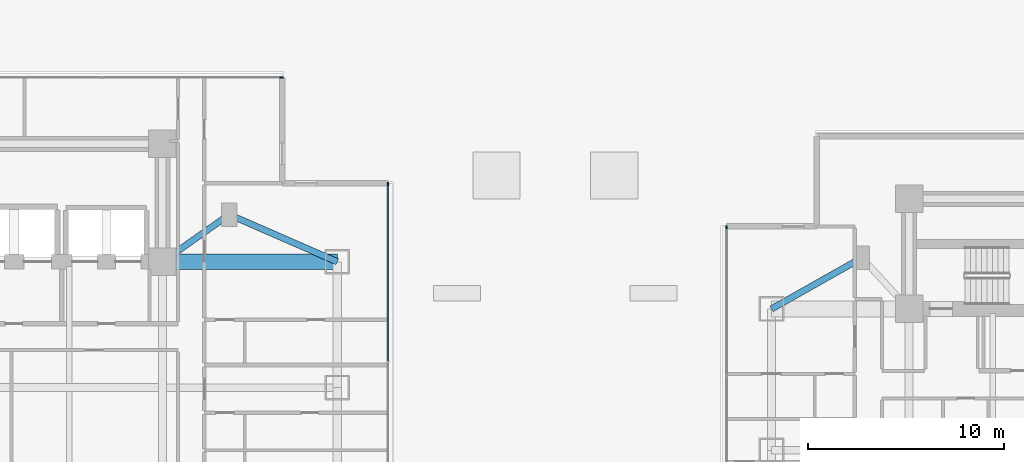
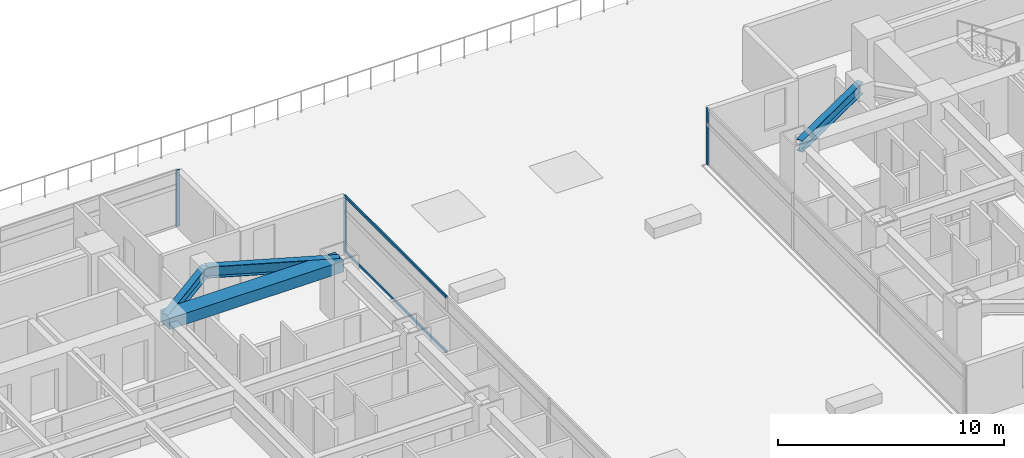
# One storey, part 7 of 26: 5 members, 4 beams, 3 elements without a shape of their own.
"""IFC4 building model written with IfcOpenShell, lengths in metres."""

import ifcopenshell
import ifcopenshell.guid

model = None  # the IFC model being written
_history = None  # IfcOwnerHistory: only IFC2X3 demands one
_inside = {}  # id of a spatial element -> (the spatial element, [elements in it])
_under = {}  # id of a project, library or spatial element -> (it, [spatial elements below it])
_declared = {}  # id of a project -> (the project, [libraries it declares])
_typed = {}  # id of a type object -> (the type object, [elements of that type])
_made_of = {}  # id of a material, layer set ... -> (it, [elements and type objects made of it])


def new_model(schema):
    """Start an empty IFC model of exactly this schema.

    Asked for "IFC4X3", IfcOpenShell would pick the latest addendum, in which some entities
    have other attributes; the version numbers below select the first issue.
    IFC2X3 requires an IfcOwnerHistory on every rooted entity: one is made here for all.
    """
    global model, _history
    if schema == "IFC4X3":
        model = ifcopenshell.file(schema_version=(4, 3, 0, 0))
    else:
        model = ifcopenshell.file(schema=schema)
    _inside.clear()
    _under.clear()
    _declared.clear()
    _typed.clear()
    _made_of.clear()
    _history = None
    if model.schema == "IFC2X3":
        org = make("IfcOrganization", Name="unknown")
        user = make(
            "IfcPersonAndOrganization",
            ThePerson=make("IfcPerson", FamilyName="unknown"),
            TheOrganization=org,
        )
        app = make(
            "IfcApplication",
            ApplicationDeveloper=org,
            Version="unknown",
            ApplicationFullName="unknown",
            ApplicationIdentifier="unknown",
        )
        _history = make(
            "IfcOwnerHistory",
            OwningUser=user,
            OwningApplication=app,
            ChangeAction="ADDED",
            CreationDate=0,
        )
    return model


def make(cls, **values):
    """One entity of the class cls with the attributes given. An attribute that is None is left unset."""
    return model.create_entity(
        cls, **{name: value for name, value in values.items() if value is not None}
    )


def rooted(cls, **values):
    """An entity with a GlobalId (a new one), such as an element, a storey or a relation."""
    return make(cls, GlobalId=ifcopenshell.guid.new(), OwnerHistory=_history, **values)


def si_unit(unit_type, name, prefix=None):
    """IfcSIUnit, for example si_unit("LENGTHUNIT", "METRE", prefix="MILLI")."""
    return make("IfcSIUnit", UnitType=unit_type, Prefix=prefix, Name=name)


def assignment(units):
    """IfcUnitAssignment: the units of a project."""
    return None if units is None else make("IfcUnitAssignment", Units=units)


def point(xyz):
    """IfcCartesianPoint."""
    return None if xyz is None else make("IfcCartesianPoint", Coordinates=xyz)


def direction(xyz):
    """IfcDirection."""
    return None if xyz is None else make("IfcDirection", DirectionRatios=xyz)


def frame(location, z_axis=None, x_axis=None):
    """IfcAxis2Placement3D, a coordinate frame: its origin and axes. An axis left out is left unset."""
    return make(
        "IfcAxis2Placement3D",
        Location=point(location),
        Axis=direction(z_axis),
        RefDirection=direction(x_axis),
    )


def frame_2d(location, x_axis=None):
    """IfcAxis2Placement2D, a coordinate frame in the plane: its origin and x axis."""
    return make(
        "IfcAxis2Placement2D", Location=point(location), RefDirection=direction(x_axis)
    )


def origin():
    """The frame at (0, 0, 0) with its axes left unset."""
    return frame((0.0, 0.0, 0.0))


def origin_2d():
    """The frame at (0, 0) in the plane with its x axis left unset."""
    return frame_2d((0.0, 0.0))


def place(relative_to, where):
    """IfcLocalPlacement: puts the frame where relative to a parent placement (None: the world)."""
    return make(
        "IfcLocalPlacement", PlacementRelTo=relative_to, RelativePlacement=where
    )


def context(
    kind, dimensions, precision=None, world=None, true_north=None, identifier=None
):
    """IfcGeometricRepresentationContext, for example the 3D "Model" context."""
    return make(
        "IfcGeometricRepresentationContext",
        ContextIdentifier=identifier,
        ContextType=kind,
        CoordinateSpaceDimension=dimensions,
        Precision=precision,
        WorldCoordinateSystem=world,
        TrueNorth=true_north,
    )


def subcontext(parent, identifier, kind, view, scale=None):
    """IfcGeometricRepresentationSubContext, for example "Body" below "Model"."""
    return make(
        "IfcGeometricRepresentationSubContext",
        ContextIdentifier=identifier,
        ContextType=kind,
        ParentContext=parent,
        TargetScale=scale,
        TargetView=view,
    )


def project(units=None, contexts=None):
    """IfcProject with its units and contexts."""
    return rooted(
        "IfcProject",
        Name="project",
        RepresentationContexts=contexts,
        UnitsInContext=assignment(units),
    )


def spatial(cls, under=None, at=None, **own):
    """A site, building, storey or space (cls), placed at a placement, below another one or the project."""
    s = rooted(cls, ObjectPlacement=at, **own)
    if under is not None:
        _under.setdefault(under.id(), (under, []))[1].append(s)
    return s


def profile(cls, at=None, kind="AREA", **sizes):
    """A parametric profile (cls). Its sizes go by their IFC names, for example OverallWidth=200.0."""
    return make(cls, ProfileType=kind, Position=at, **sizes)


def rectangle(**sizes):
    """IfcRectangleProfileDef."""
    return profile("IfcRectangleProfileDef", **sizes)


def i_section(**sizes):
    """IfcIShapeProfileDef."""
    return profile("IfcIShapeProfileDef", **sizes)


def extrude(swept, where, along, depth):
    """IfcExtrudedAreaSolid: the profile swept, set in the frame where, extruded along a direction by depth."""
    return make(
        "IfcExtrudedAreaSolid",
        SweptArea=swept,
        Position=where,
        ExtrudedDirection=direction(along),
        Depth=depth,
    )


def shape(context_of_items, identifier, shape_type, items):
    """IfcShapeRepresentation: the items that make up one representation, for example the "Body"."""
    return make(
        "IfcShapeRepresentation",
        ContextOfItems=context_of_items,
        RepresentationIdentifier=identifier,
        RepresentationType=shape_type,
        Items=items,
    )


def material(Name=None, Category=None):
    """IfcMaterial."""
    return make("IfcMaterial", Name=Name, Category=Category)


def material_profile(
    of_material, cross_section, Name=None, Category=None, Priority=None
):
    """IfcMaterialProfile: a cross section and its material."""
    return make(
        "IfcMaterialProfile",
        Name=Name,
        Material=of_material,
        Profile=cross_section,
        Priority=Priority,
        Category=Category,
    )


def profile_set(profiles, Name=None, composite=None):
    """IfcMaterialProfileSet."""
    return make(
        "IfcMaterialProfileSet",
        Name=Name,
        MaterialProfiles=profiles,
        CompositeProfile=composite,
    )


def made_of(thing, what):
    """Note that an element or type object is made of a material, layer set ...; save() writes the relation."""
    if what is not None:
        _made_of.setdefault(what.id(), (what, []))[1].append(thing)
    return thing


def type_object(cls, material=None, **own):
    """A type object (cls), such as IfcWallType, which elements share."""
    return made_of(rooted(cls, **own), material)


def element(
    cls,
    number,
    at=None,
    inside=None,
    cuts=None,
    type_object=None,
    material=None,
    context=None,
    identifier="Body",
    shape_type=None,
    held_by="IfcProductDefinitionShape",
    body=None,
    shapes=None,
    **own,
):
    """One element of the class cls, such as IfcWall. Its Tag is "e" and its number.

    at: its placement. inside: the storey or other place that contains it. cuts: it is an
    opening in that element (IfcRelVoidsElement). A single representation is given by context,
    identifier, shape_type and body (its items); several are given by shapes. held_by: the class
    of the entity that holds the representations. save() writes the other relations.
    """
    e = rooted(cls, Tag="e%d" % number, ObjectPlacement=at, **own)
    if body is not None:
        shapes = [shape(context, identifier, shape_type, body)]
    if shapes is not None:
        e.Representation = make(held_by, Representations=shapes)
    if inside is not None:
        _inside.setdefault(inside.id(), (inside, []))[1].append(e)
    if cuts is not None:
        rooted(
            "IfcRelVoidsElement", RelatingBuildingElement=cuts, RelatedOpeningElement=e
        )
    if type_object is not None:
        _typed.setdefault(type_object.id(), (type_object, []))[1].append(e)
    return made_of(e, material)


def aggregate(whole, parts):
    """IfcRelAggregates: a whole, such as a stair, and the parts it consists of."""
    return rooted("IfcRelAggregates", RelatingObject=whole, RelatedObjects=parts)


def save(model, path):
    """Write the relations noted so far, then the file.

    IfcRelAggregates (storeys below a building ...), IfcRelContainedInSpatialStructure (elements
    in a storey), IfcRelDefinesByType, IfcRelAssociatesMaterial and IfcRelDeclares: one each for
    every whole, place, type object, material and project.
    """
    for whole, parts in _under.values():
        aggregate(whole, parts)
    for where, things in _inside.values():
        rooted(
            "IfcRelContainedInSpatialStructure",
            RelatedElements=things,
            RelatingStructure=where,
        )
    for kind, things in _typed.values():
        rooted("IfcRelDefinesByType", RelatedObjects=things, RelatingType=kind)
    for what, things in _made_of.values():
        rooted("IfcRelAssociatesMaterial", RelatedObjects=things, RelatingMaterial=what)
    for by, libraries in _declared.values():
        rooted("IfcRelDeclares", RelatingContext=by, RelatedDefinitions=libraries)
    model.write(path)


model = new_model("IFC4")

# Units and contexts
model_context = context("Model", 3, precision=1e-05, world=origin(), true_north=direction((0.0, 1.0)))
body_context = subcontext(model_context, "Body", "Model", "MODEL_VIEW")
ifc_project = project(units=[si_unit("LENGTHUNIT", "METRE"), si_unit("AREAUNIT", "SQUARE_METRE"), si_unit("VOLUMEUNIT", "CUBIC_METRE"), si_unit("PLANEANGLEUNIT", "RADIAN"), si_unit("MASSUNIT", "GRAM", prefix="KILO")], contexts=[model_context])

# Site, building, storey
site_placement = place(None, origin())
site = spatial("IfcSite", under=ifc_project, at=site_placement, CompositionType="ELEMENT")
building_placement = place(site_placement, origin())
building = spatial("IfcBuilding", under=site, at=building_placement, Name="Mirazonda Arch Towers", CompositionType="ELEMENT")
storey_placement = place(building_placement, frame((0.0, 0.0, 22.39990234375)))
storey = spatial("IfcBuildingStorey", under=building, at=storey_placement, Name="L05", CompositionType="ELEMENT", Elevation=22.39990234375)

# Beams
ifc_material_1 = material(Name="Steel ASTM A992 Grade 50", Category="steel")
ifc_material_profile_1 = material_profile(ifc_material_1, i_section(OverallWidth=0.324951171875, OverallDepth=0.615966796875, WebThickness=0.013916015625, FlangeThickness=0.021484375, at=origin_2d()), Name="W24X117")
ifc_profile_set_1 = profile_set([ifc_material_profile_1], Name="Steel ASTM A992 Grade 50")
beam_type_1 = type_object("IfcBeamType", Name="BM-INT-W24X117", PredefinedType="BEAM", material=ifc_profile_set_1)
beam_1_placement = place(storey_placement, frame((33.39990234375, 40.0, 2.752197265625), z_axis=(-0.816971114901, -0.576678591087, 0.0), x_axis=(0.576678591087, -0.816971114901, 0.0)))
element("IfcBeam", 1, at=beam_1_placement, inside=storey, type_object=beam_type_1, Name="L05 Floor Beam BM-T1-L05-PL-NE1", PredefinedType="BEAM", context=body_context, shape_type="SweptSolid", body=[
    extrude(i_section(OverallWidth=0.324951171875, OverallDepth=0.615966796875, WebThickness=0.013916015625, FlangeThickness=0.021484375, at=origin_2d()), origin(), (0.0, 0.0, 1.0), 4.16162109375),
])
beam_2_placement = place(storey_placement, frame((33.39990234375, 40.0, 2.752197265625), z_axis=(0.916545343703, -0.399930785183, 0.0), x_axis=(0.399930785183, 0.916545343703, 0.0)))
element("IfcBeam", 2, at=beam_2_placement, inside=storey, type_object=beam_type_1, Name="L05 Floor Beam BM-T1-L05-PL-NE2", PredefinedType="BEAM", context=body_context, shape_type="SweptSolid", body=[
    extrude(i_section(OverallWidth=0.324951171875, OverallDepth=0.615966796875, WebThickness=0.013916015625, FlangeThickness=0.021484375, at=origin_2d()), origin(), (0.0, 0.0, 1.0), 6.000732421875),
])
beam_3_placement = place(storey_placement, frame((65.60009765625, 37.800048828125, 2.752197265625), z_axis=(-0.870559396632, -0.492063346467, 0.0), x_axis=(0.492063346467, -0.870559396632, 0.0)))
element("IfcBeam", 3, at=beam_3_placement, inside=storey, type_object=beam_type_1, Name="L05 Floor Beam BM-T2-L05-PL-NW2", PredefinedType="BEAM", context=body_context, shape_type="SweptSolid", body=[
    extrude(i_section(OverallWidth=0.324951171875, OverallDepth=0.615966796875, WebThickness=0.013916015625, FlangeThickness=0.021484375, at=origin_2d()), origin(), (0.0, 0.0, 1.0), 5.2841796875),
])
ifc_material_2 = material(Name="Concrete C60/75", Category="concrete")
ifc_material_profile_2 = material_profile(ifc_material_2, rectangle(XDim=0.800048828125, YDim=0.60009765625, at=origin_2d()), Name="RCCB800x600")
ifc_profile_set_2 = profile_set([ifc_material_profile_2], Name="Concrete C60/75")
beam_type_2 = type_object("IfcBeamType", Name="CB-INT-RCCB800x600", PredefinedType="SPANDREL", material=ifc_profile_set_2)
beam_4_placement = place(storey_placement, frame((30.0, 37.60009765625, 2.760009765625), z_axis=(1.0, 0.0, 0.0), x_axis=(0.0, 1.0, 0.0)))
element("IfcBeam", 4, at=beam_4_placement, inside=storey, type_object=beam_type_2, Name="L05 Floor Beam CBC-T1-L05-NE", PredefinedType="SPANDREL", context=body_context, shape_type="SweptSolid", body=[
    extrude(rectangle(XDim=0.800048828125, YDim=0.60009765625, at=origin_2d()), origin(), (0.0, 0.0, 1.0), 8.89990234375),
])

# Curtain wall, member
ifc_material_3 = material(Name="Anodised Aluminium and Low-E Glass", Category="aluminium")
curtain_wall_type = type_object("IfcCurtainWallType", Name="CW-HTL-UNIT", PredefinedType="NOTDEFINED", material=ifc_material_3)
curtain_wall_1_placement = place(storey_placement, origin())
curtain_wall_1 = element("IfcCurtainWall", 5, at=curtain_wall_1_placement, inside=storey, type_object=curtain_wall_type, Name="L05 T1 E Facade CW-L05-T1-E", PredefinedType="NOTDEFINED")
ifc_material_4 = material(Name="Anodised Aluminium Alloy", Category="aluminium")
ifc_material_profile_3 = material_profile(ifc_material_4, rectangle(XDim=0.074951171875, YDim=0.1650390625, at=origin_2d()), Name="ALU-MULL-75x165")
ifc_profile_set_3 = profile_set([ifc_material_profile_3], Name="Anodised Aluminium Alloy")
member_type_1 = type_object("IfcMemberType", Name="MULL-CW-HTL-UNIT", PredefinedType="MULLION", material=ifc_profile_set_3)
member_1_placement = place(storey_placement, frame((41.47998046875, 41.5625, 0.0), z_axis=(0.0, 0.0, 1.0), x_axis=(-1.0, 0.0, 0.0)))
member_1 = element("IfcMember", 6, at=member_1_placement, type_object=member_type_1, Name="CW-112 mullion 4", PredefinedType="MULLION", context=body_context, shape_type="SweptSolid", body=[
    extrude(rectangle(XDim=0.074951171875, YDim=0.1650390625, at=origin_2d()), origin(), (0.0, 0.0, 1.0), 3.0400390625),
])

curtain_wall_2_placement = place(storey_placement, origin())
curtain_wall_2 = element("IfcCurtainWall", 7, at=curtain_wall_2_placement, inside=storey, type_object=curtain_wall_type, Name="L05 Curtain Wall CW-L05-T1-N", PredefinedType="NOTDEFINED")
member_2_placement = place(storey_placement, frame((36.0625, 46.97998046875, 0.0), z_axis=(0.0, 0.0, 1.0), x_axis=(0.0, 1.0, 0.0)))
member_2 = element("IfcMember", 8, at=member_2_placement, type_object=member_type_1, Name="CW-112 mullion 3", PredefinedType="MULLION", context=body_context, shape_type="SweptSolid", body=[
    extrude(rectangle(XDim=0.074951171875, YDim=0.1650390625, at=origin_2d()), origin(), (0.0, 0.0, 1.0), 3.0400390625),
])
aggregate(curtain_wall_2, [member_2])

curtain_wall_3_placement = place(storey_placement, origin())
curtain_wall_3 = element("IfcCurtainWall", 9, at=curtain_wall_3_placement, inside=storey, type_object=curtain_wall_type, Name="L05 T2 W Facade CW-L05-T2-W", PredefinedType="NOTDEFINED")
member_3_placement = place(storey_placement, frame((58.719970703125, 39.362548828125, 0.0), z_axis=(0.0, 0.0, 1.0), x_axis=(1.0, 0.0, 0.0)))
member_3 = element("IfcMember", 10, at=member_3_placement, type_object=member_type_1, Name="CW-112 mullion 1", PredefinedType="MULLION", context=body_context, shape_type="SweptSolid", body=[
    extrude(rectangle(XDim=0.074951171875, YDim=0.1650390625, at=origin_2d()), origin(), (0.0, 0.0, 1.0), 3.0400390625),
])
aggregate(curtain_wall_3, [member_3])

# Member
ifc_material_profile_4 = material_profile(ifc_material_4, rectangle(XDim=0.074951171875, YDim=0.14501953125, at=origin_2d()), Name="ALU-TRAN-75x145")
ifc_profile_set_4 = profile_set([ifc_material_profile_4], Name="Anodised Aluminium Alloy")
member_type_2 = type_object("IfcMemberType", Name="TRAN-CW-HTL-UNIT", PredefinedType="USERDEFINED", material=ifc_profile_set_4)
member_4_placement = place(storey_placement, frame((41.47998046875, 32.57080078125, 0.03759765625), z_axis=(0.0, 1.0, 0.0), x_axis=(-1.0, 0.0, 0.0)))
member_4 = element("IfcMember", 11, at=member_4_placement, type_object=member_type_2, Name="CW-112 transom 3.1", ObjectType="TRANSOM", PredefinedType="USERDEFINED", context=body_context, shape_type="SweptSolid", body=[
    extrude(rectangle(XDim=0.074951171875, YDim=0.14501953125, at=origin_2d()), origin(), (0.0, 0.0, 1.0), 8.9541015625),
])

member_5_placement = place(storey_placement, frame((41.47998046875, 32.57080078125, 3.002685546875), z_axis=(0.0, 1.0, 0.0), x_axis=(-1.0, 0.0, 0.0)))
member_5 = element("IfcMember", 12, at=member_5_placement, type_object=member_type_2, Name="CW-112 transom 3.2", ObjectType="TRANSOM", PredefinedType="USERDEFINED", context=body_context, shape_type="SweptSolid", body=[
    extrude(rectangle(XDim=0.074951171875, YDim=0.14501953125, at=origin_2d()), origin(), (0.0, 0.0, 1.0), 8.9541015625),
])

aggregate(curtain_wall_1, [member_1, member_4, member_5])

save(model, "model.ifc")
